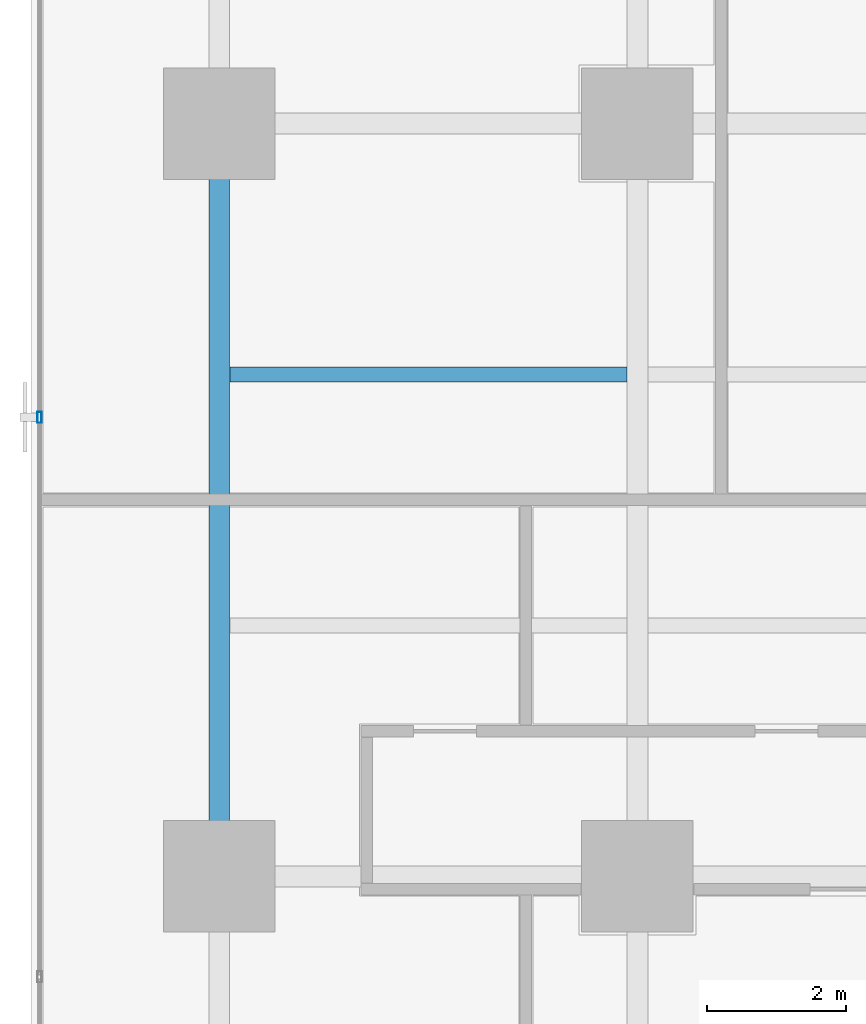
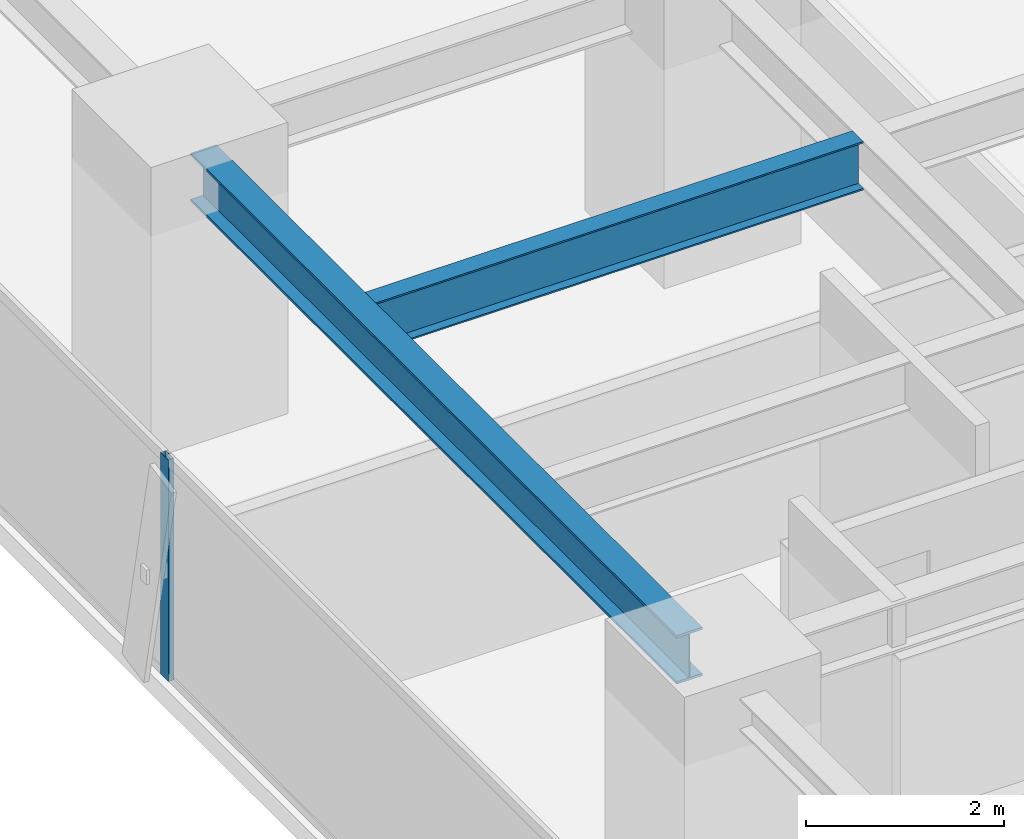
# One storey, part 8 of 34: 2 beams, 1 member, 1 element without a shape of its own.
"""IFC4 building model written with IfcOpenShell, lengths in metres."""

from ifc_helpers import new_model, si_unit, direction, frame, origin, origin_2d, place, context, subcontext, project, spatial, hollow_rectangle, i_section, extrude, source, transform, mapped, material, layer, layer_set, material_profile, profile_set, type_object, element, aggregate, save


model = new_model("IFC4")

# Units and contexts
model_context = context("Model", 3, precision=1e-05, world=origin(), true_north=direction((0.0, 1.0)))
body_context = subcontext(model_context, "Body", "Model", "MODEL_VIEW")
ifc_project = project(units=[si_unit("LENGTHUNIT", "METRE"), si_unit("AREAUNIT", "SQUARE_METRE"), si_unit("VOLUMEUNIT", "CUBIC_METRE"), si_unit("PLANEANGLEUNIT", "RADIAN"), si_unit("MASSUNIT", "GRAM", prefix="KILO")], contexts=[model_context])

# Site, building, storey
site_placement = place(None, origin())
site = spatial("IfcSite", under=ifc_project, at=site_placement, CompositionType="ELEMENT")
building_placement = place(site_placement, origin())
building = spatial("IfcBuilding", under=site, at=building_placement, Name="Sumidabori Civic Tower", CompositionType="ELEMENT")
storey_placement = place(building_placement, frame((0.0, 0.0, 106.39990234375)))
storey = spatial("IfcBuildingStorey", under=building, at=storey_placement, Name="L27", CompositionType="ELEMENT", Elevation=106.39990234375)

# Beams
ifc_material_1 = material(Name="Steel SN490", Category="steel")
ifc_material_profile_1 = material_profile(ifc_material_1, i_section(OverallWidth=0.300048828125, OverallDepth=0.60009765625, WebThickness=0.015380859375, FlangeThickness=0.030029296875, at=origin_2d()), Name="HE 600 B")
ifc_profile_set_1 = profile_set([ifc_material_profile_1], Name="Steel SN490")
beam_type_1 = type_object("IfcBeamType", Name="BM-GIRD-600", PredefinedType="BEAM", material=ifc_profile_set_1)
shared_shape_1 = source(origin(), body_context, "Body", "SweptSolid", [
    extrude(i_section(OverallWidth=0.300048828125, OverallDepth=0.60009765625, WebThickness=0.015380859375, FlangeThickness=0.030029296875, at=origin_2d()), origin(), (0.0, 0.0, 1.0), 9.840087890625),
])
beam_1_placement = place(storey_placement, frame((-22.800048828125, -10.320068359375, 3.06005859375), z_axis=(0.0, 1.0, 0.0), x_axis=(-1.0, 0.0, 0.0)))
element("IfcBeam", 1, at=beam_1_placement, inside=storey, type_object=beam_type_1, Name="Primary Girder L27 GY-22", PredefinedType="BEAM", context=body_context, shape_type="MappedRepresentation", body=[
    mapped(shared_shape_1, transform((0.0, 0.0, 0.0), x_axis=(1.0, 0.0, 0.0), y_axis=(0.0, 1.0, 0.0), z_axis=(0.0, 0.0, 1.0), scale=1.0)),
])
ifc_material_profile_2 = material_profile(ifc_material_1, i_section(OverallWidth=0.219970703125, OverallDepth=0.60009765625, WebThickness=0.011962890625, FlangeThickness=0.01904296875, at=origin_2d()), Name="IPE 600")
ifc_profile_set_2 = profile_set([ifc_material_profile_2], Name="Steel SN490")
beam_type_2 = type_object("IfcBeamType", Name="BM-JST-600", PredefinedType="JOIST", material=ifc_profile_set_2)
shared_shape_2 = source(origin(), body_context, "Body", "SweptSolid", [
    extrude(i_section(OverallWidth=0.219970703125, OverallDepth=0.60009765625, WebThickness=0.011962890625, FlangeThickness=0.01904296875, at=origin_2d()), origin(), (0.0, 0.0, 1.0), 5.699951171875),
])
beam_2_placement = place(storey_placement, frame((-22.64990234375, -3.60009765625, 3.06005859375), z_axis=(1.0, 0.0, 0.0), x_axis=(0.0, 1.0, 0.0)))
element("IfcBeam", 2, at=beam_2_placement, inside=storey, type_object=beam_type_2, Name="Outer Bay Floor Joist L27 JSTO-45", PredefinedType="JOIST", context=body_context, shape_type="MappedRepresentation", body=[
    mapped(shared_shape_2, transform((0.0, 0.0, 0.0), x_axis=(1.0, 0.0, 0.0), y_axis=(0.0, 1.0, 0.0), z_axis=(0.0, 0.0, 1.0), scale=1.0)),
])

# Curtain wall, member
ifc_material_2 = material(Name="Anodised Bronze Aluminium AW-6063-T6", Category="aluminium")
ifc_layer = layer(ifc_material_2, 0.179931640625, Name="Anodised Bronze Aluminium AW-6063-T6")
ifc_layer_set = layer_set([ifc_layer], Name="Anodised Bronze Aluminium AW-6063-T6")
curtain_wall_type = type_object("IfcCurtainWallType", Name="CW-SYS-3", PredefinedType="NOTDEFINED", material=ifc_layer_set)
curtain_wall_placement = place(storey_placement, origin())
curtain_wall = element("IfcCurtainWall", 3, at=curtain_wall_placement, inside=storey, type_object=curtain_wall_type, Name="Curtain Wall CW:L27:R10", PredefinedType="NOTDEFINED")
ifc_material_profile_3 = material_profile(ifc_material_2, hollow_rectangle(XDim=0.06494140625, YDim=0.159912109375, WallThickness=0.0048828125, at=origin_2d()), Name="ALU MULLION 160x65")
ifc_profile_set_3 = profile_set([ifc_material_profile_3], Name="Anodised Bronze Aluminium AW-6063-T6")
member_type = type_object("IfcMemberType", Name="CW-MUL-160", PredefinedType="MULLION", material=ifc_profile_set_3)
shared_shape_3 = source(origin(), body_context, "Body", "SweptSolid", [
    extrude(hollow_rectangle(XDim=0.06494140625, YDim=0.159912109375, WallThickness=0.0048828125, at=origin_2d()), origin(), (0.0, 0.0, 1.0), 2.739990234375),
])
member_placement = place(storey_placement, frame((-25.3798828125, -4.214111328125, 0.0), z_axis=(0.0, 0.0, 1.0), x_axis=(1.0, 0.0, 0.0)))
member = element("IfcMember", 4, at=member_placement, type_object=member_type, Name="CW-3 mullion 4", PredefinedType="MULLION", context=body_context, shape_type="MappedRepresentation", body=[
    mapped(shared_shape_3, transform((0.0, 0.0, 0.0), x_axis=(1.0, 0.0, 0.0), y_axis=(0.0, 1.0, 0.0), z_axis=(0.0, 0.0, 1.0), scale=1.0)),
])
aggregate(curtain_wall, [member])

save(model, "model.ifc")
